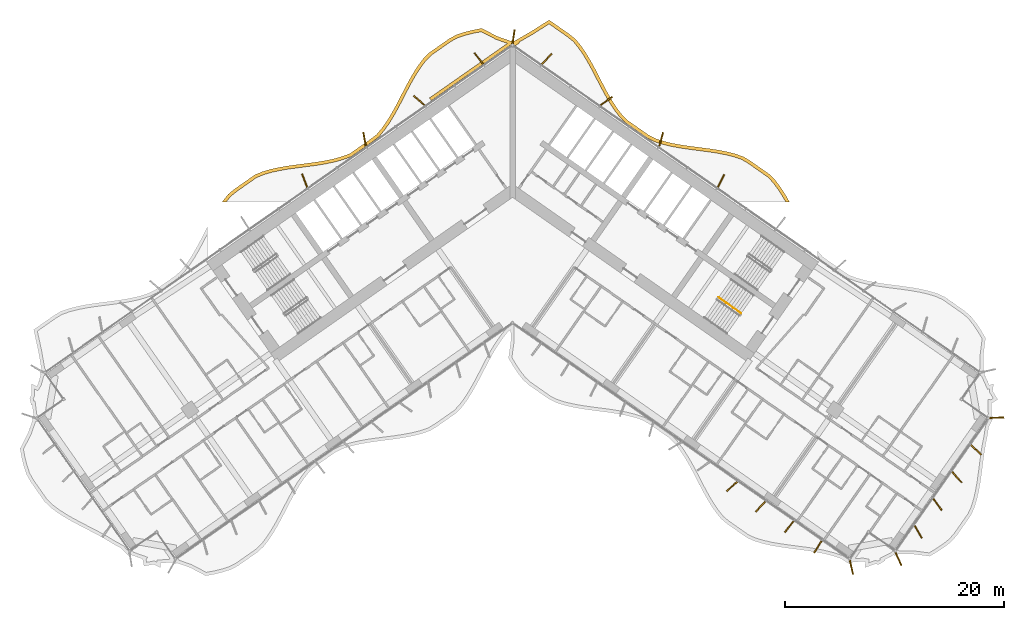
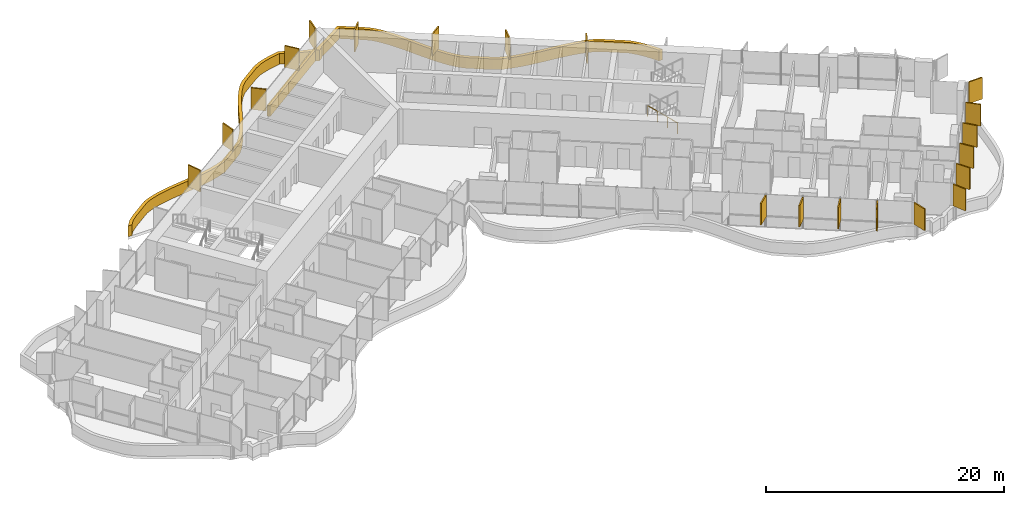
# One storey, part 24 of 25: 21 shading devices, 1 railing.
"""IFC4 building model written with IfcOpenShell, lengths in metres."""

from ifc_helpers import new_model, si_unit, direction, frame, origin, origin_2d, place, context, subcontext, project, spatial, polyline, rectangle, circle, outline, extrude, material, layer, layer_set, type_object, element, save


model = new_model("IFC4")

# Units and contexts
model_context = context("Model", 3, precision=1e-05, world=origin(), true_north=direction((0.0, 1.0)))
body_context = subcontext(model_context, "Body", "Model", "MODEL_VIEW")
ifc_project = project(units=[si_unit("LENGTHUNIT", "METRE"), si_unit("AREAUNIT", "SQUARE_METRE"), si_unit("VOLUMEUNIT", "CUBIC_METRE"), si_unit("PLANEANGLEUNIT", "RADIAN"), si_unit("MASSUNIT", "GRAM", prefix="KILO")], contexts=[model_context])

# Site, building, storey
site_placement = place(None, origin())
site = spatial("IfcSite", under=ifc_project, at=site_placement, CompositionType="ELEMENT")
building_placement = place(site_placement, origin())
building = spatial("IfcBuilding", under=site, at=building_placement, Name="Tel Ilan Convention Tower", CompositionType="ELEMENT")
storey_placement = place(building_placement, frame((0.0, 0.0, 58.10009765625)))
storey = spatial("IfcBuildingStorey", under=building, at=storey_placement, Name="L09", CompositionType="ELEMENT", Elevation=58.10009765625)

# Shading devices
ifc_material_1 = material(Name="Aluminium, bronze anodised", Category="aluminium")
ifc_layer_1 = layer(ifc_material_1, 0.1201171875)
ifc_layer_set_1 = layer_set([ifc_layer_1], Name="FIN BRONZE 1300x120")
shading_device_type_1 = type_object("IfcShadingDeviceType", Name="FIN BRONZE 1300x120", PredefinedType="USERDEFINED", material=ifc_layer_set_1)
for number, where, z_axis, x_axis, name in (
    (1, (19.058349609375, 0.2685546875, 1.10009765625), (0.0, 0.0, 1.0), (0.448799180206, 0.893632640321, 0.0), "FIN"),
    (2, (13.5869140625, 4.076416015625, 1.10009765625), (0.0, 0.0, 1.0), (0.268172612768, 0.963370878614, 0.0), "FIN"),
    (3, (8.580810546875, 7.581787109375, 1.10009765625), (0.0, 0.0, 1.0), (0.813552070258, 0.581492071294, 0.0), "FIN"),
    (4, (3.131103515625, 11.4208984375, 1.10009765625), (0.0, 0.0, 1.0), (0.686241637865, 0.727373641577, 0.0), "FIN"),
    (5, (0.09423828125, 13.469482421875, 1.10009765625), (0.0, 0.0, 1.0), (0.144931859301, 0.989441638582, 0.0), "FIN"),
    (6, (-3.079833984375, 11.45703125, 1.10009765625), (0.0, 0.0, 1.0), (-0.612600545196, 0.790392669516, 0.0), "FIN"),
    (7, (-8.53857421875, 7.626708984375, 1.10009765625), (0.0, 0.0, 1.0), (-0.753435896329, 0.657521368568, 0.0), "FIN"),
    (8, (-13.528564453125, 4.094970703125, 1.10009765625), (0.0, 0.0, 1.0), (-0.173648177667, 0.984807753012, 0.0), "FIN"),
    (9, (-19.00390625, 0.298583984375, 1.10009765625), (0.0, 0.0, 1.0), (-0.360177724803, 0.932883704733, 0.0), "FIN"),
    (10, (20.061767578125, -27.65283203125, 1.10009765625), (0.0, 0.0, 1.0), (-0.753435896329, -0.657521368568, 0.0), "FIN"),
    (11, (22.6787109375, -29.4931640625, 1.10009765625), (0.0, 0.0, 1.0), (-0.686241637865, -0.727373641577, 0.0), "FIN"),
    (12, (25.2998046875, -31.328857421875, 1.10009765625), (0.0, 0.0, 1.0), (-0.612600545196, -0.790392669516, 0.0), "FIN"),
    (13, (27.92138671875, -33.164306640625, 1.10009765625), (0.0, 0.0, 1.0), (-0.533204432798, -0.845986425922, 0.0), "FIN"),
    (14, (30.9833984375, -35.04833984375, 1.10009765625), (0.0, 0.0, 1.0), (0.221170268371, -0.975235208752, 0.0), "FIN"),
    (15, (35.283203125, -34.283203125, 1.10009765625), (0.0, 0.0, 1.0), (0.404964282034, -0.914332505315, 0.0), "FIN"),
    (16, (37.08349609375, -31.794921875, 1.10009765625), (0.0, 0.0, 1.0), (0.5, -0.866025403784, 0.0), "FIN"),
    (17, (38.852783203125, -29.30029296875, 1.10009765625), (0.0, 0.0, 1.0), (0.581492071294, -0.813552070258, 0.0), "FIN"),
    (18, (40.618408203125, -26.800537109375, 1.10009765625), (0.0, 0.0, 1.0), (0.657521368568, -0.753435896329, 0.0), "FIN"),
    (19, (42.3798828125, -24.296142578125, 1.10009765625), (0.0, 0.0, 1.0), (0.727373641577, -0.686241637865, 0.0), "FIN"),
    (20, (44.27880859375, -21.36767578125, 1.10009765625), (0.0, 0.0, 1.0), (0.999576950082, 0.029084718749, 0.0), "FIN"),
):
    element("IfcShadingDevice", number, at=place(storey_placement, frame(where, z_axis=z_axis, x_axis=x_axis)), inside=storey, type_object=shading_device_type_1, Name=name, ObjectType="FIN", PredefinedType="USERDEFINED", context=body_context, shape_type="SweptSolid", body=[
        extrude(rectangle(XDim=1.300048828125, YDim=0.1201171875, at=origin_2d()), origin(), (0.0, 0.0, 1.0), 2.219970703125),
    ])
ifc_material_2 = material(Name="Aluminium, bronze anodised", Category="aluminium")
ifc_layer_2 = layer(ifc_material_2, 0.300048828125)
ifc_layer_set_2 = layer_set([ifc_layer_2], Name="LOUVRE BAND 300x1100")
shading_device_type_2 = type_object("IfcShadingDeviceType", Name="LOUVRE BAND 300x1100", PredefinedType="USERDEFINED", material=ifc_layer_set_2)
shading_device_placement = place(storey_placement, origin())
element("IfcShadingDevice", 21, at=shading_device_placement, inside=storey, type_object=shading_device_type_2, Name="LOUVRE BAND 11.02", ObjectType="LOUVRE", PredefinedType="USERDEFINED", context=body_context, shape_type="SweptSolid", body=[
    extrude(outline(polyline([(-26.470947265625, -1.533447265625), (-26.5380859375, -1.631591796875), (-26.164794921875, -1.631591796875), (-25.768798828125, -1.13916015625), (-25.22119140625, -0.691162109375), (-23.4189453125, 0.570556640625), (-22.757568359375, 0.845947265625), (-22.025146484375, 1.0595703125), (-21.250732421875, 1.229248046875), (-20.445556640625, 1.36474609375), (-17.94091796875, 1.697021484375), (-17.10986328125, 1.831298828125), (-16.29736328125, 2.001220703125), (-15.51171875, 2.2197265625), (-14.73974609375, 2.50537109375), (-14.091552734375, 2.951171875), (-12.86083984375, 3.812744140625), (-12.2314453125, 4.287841796875), (-11.706298828125, 4.921142578125), (-11.2373046875, 5.590576171875), (-10.803466796875, 6.300537109375), (-10.395751953125, 7.0380859375), (-9.617919921875, 8.540283203125), (-9.227294921875, 9.275390625), (-8.822509765625, 9.9814453125), (-8.39501953125, 10.64501953125), (-7.941650390625, 11.25048828125), (-7.44140625, 11.75830078125), (-5.638916015625, 13.020263671875), (-5.01953125, 13.36328125), (-4.31494140625, 13.594970703125), (-3.555908203125, 13.7822265625), (-2.858154296875, 13.91259765625), (-1.501220703125, 13.2119140625), (-0.474609375, 12.85205078125), (-7.591552734375, 7.86865234375), (-7.41943359375, 7.623046875), (0.0, 12.818115234375), (0.261474609375, 12.635009765625), (0.71044921875, 12.94921875), (0.5732421875, 12.94921875), (1.861328125, 13.69384765625), (3.339111328125, 14.630615234375), (5.00537109375, 13.4638671875), (5.557861328125, 13.021728515625), (6.019775390625, 12.45166015625), (6.460205078125, 11.81103515625), (6.87451171875, 11.123046875), (7.270751953125, 10.399658203125), (8.04541015625, 8.9013671875), (8.444580078125, 8.155517578125), (8.865234375, 7.431396484375), (9.31689453125, 6.74169921875), (9.814697265625, 6.0908203125), (10.396484375, 5.538330078125), (12.26953125, 4.226806640625), (12.98193359375, 3.861572265625), (13.763427734375, 3.61376953125), (14.564697265625, 3.4228515625), (15.388427734375, 3.27392578125), (16.225341796875, 3.153076171875), (17.89892578125, 2.9375), (18.715087890625, 2.813720703125), (19.504638671875, 2.661376953125), (20.259033203125, 2.468505859375), (20.95556640625, 2.231201171875), (21.563720703125, 1.869873046875), (23.36572265625, 0.60791015625), (23.8505859375, 0.080322265625), (24.302001953125, -0.53466796875), (24.726318359375, -1.204345703125), (24.968505859375, -1.631591796875), (25.313232421875, -1.631591796875), (24.983642578125, -1.0498046875), (24.5498046875, -0.365478515625), (24.082763671875, 0.271240234375), (23.564453125, 0.8349609375), (21.7265625, 2.121826171875), (21.081787109375, 2.505126953125), (20.3447265625, 2.756103515625), (19.5703125, 2.9541015625), (18.76611328125, 3.109375), (17.940673828125, 3.234619140625), (16.265625, 3.450439453125), (15.4365234375, 3.570068359375), (14.626220703125, 3.716796875), (13.843505859375, 3.903076171875), (13.0966796875, 4.14013671875), (12.4248046875, 4.484375), (10.5869140625, 5.771484375), (10.038330078125, 6.2919921875), (9.561767578125, 6.915283203125), (9.12060546875, 7.5888671875), (8.70654296875, 8.3017578125), (8.31103515625, 9.040771484375), (7.535400390625, 10.540771484375), (7.134765625, 11.2724609375), (6.712646484375, 11.9736328125), (6.26025390625, 12.63134765625), (5.7705078125, 13.23583984375), (5.185302734375, 13.7041015625), (3.347412109375, 14.990966796875), (1.7060546875, 13.950439453125), (0.168701171875, 13.059326171875), (0.11474609375, 13.09521484375), (0.0, 13.1181640625), (-0.11474609375, 13.09521484375), (-0.168701171875, 13.059326171875), (-1.382080078125, 13.48828125), (-2.81201171875, 14.226318359375), (-3.619384765625, 14.075439453125), (-4.39794921875, 13.883544921875), (-5.14013671875, 13.639404296875), (-5.798095703125, 13.275146484375), (-7.635986328125, 11.98828125), (-8.169677734375, 11.446533203125), (-8.641357421875, 10.81640625), (-9.078857421875, 10.13720703125), (-9.489990234375, 9.42041015625), (-9.8837890625, 8.67919921875), (-10.66015625, 7.179931640625), (-11.06298828125, 6.451416015625), (-11.488525390625, 5.755126953125), (-11.945068359375, 5.103271484375), (-12.43994140625, 4.506103515625), (-13.037353515625, 4.055419921875), (-14.87890625, 2.773681640625), (-15.60400390625, 2.50537109375), (-16.3681640625, 2.29296875), (-17.16455078125, 2.12646484375), (-17.98486328125, 1.993896484375), (-20.490966796875, 1.661376953125), (-21.307861328125, 1.52392578125), (-22.099365234375, 1.350341796875), (-22.857421875, 1.129150390625), (-23.564453125, 0.8349609375), (-25.40234375, -0.451904296875), (-25.98291015625, -0.9267578125), (-26.470947265625, -1.533447265625)])), origin(), (0.0, 0.0, 1.0), 1.099853515625),
])

# Railing
ifc_material_3 = material(Name="Stainless Steel Grade 316", Category="steel")
railing_type = type_object("IfcRailingType", Name="Stainless Steel Stair Guard 1100 mm", PredefinedType="GUARDRAIL", material=ifc_material_3)
railing_placement = place(storey_placement, frame((20.89697265625, -11.824462890625, 0.179931640625)))
element("IfcRailing", 22, at=railing_placement, inside=storey, type_object=railing_type, Name="L09 S4 stair guard 1", PredefinedType="GUARDRAIL", context=body_context, shape_type="SweptSolid", body=[
    extrude(circle(Radius=0.02392578125, at=origin_2d()), frame((0.0, 0.0, 1.076171875), z_axis=(-0.689043377453, 0.48253410265, 0.540721798865), x_axis=(-0.573624882958, -0.819118119475, 0.0)), (0.0, 0.0, 1.0), 2.995849609375),
    extrude(circle(Radius=0.02099609375, at=origin_2d()), origin(), (0.0, 0.0, 1.0), 1.052001953125),
    extrude(circle(Radius=0.02099609375, at=origin_2d()), frame((-0.68798828125, 0.48193359375, 0.5400390625)), (0.0, 0.0, 1.0), 1.052001953125),
    extrude(circle(Radius=0.02099609375, at=origin_2d()), frame((-1.376220703125, 0.963623046875, 1.079833984375)), (0.0, 0.0, 1.0), 1.052001953125),
    extrude(circle(Radius=0.02099609375, at=origin_2d()), frame((-2.064208984375, 1.445556640625, 1.619873046875)), (0.0, 0.0, 1.0), 1.052001953125),
])

save(model, "model.ifc")
